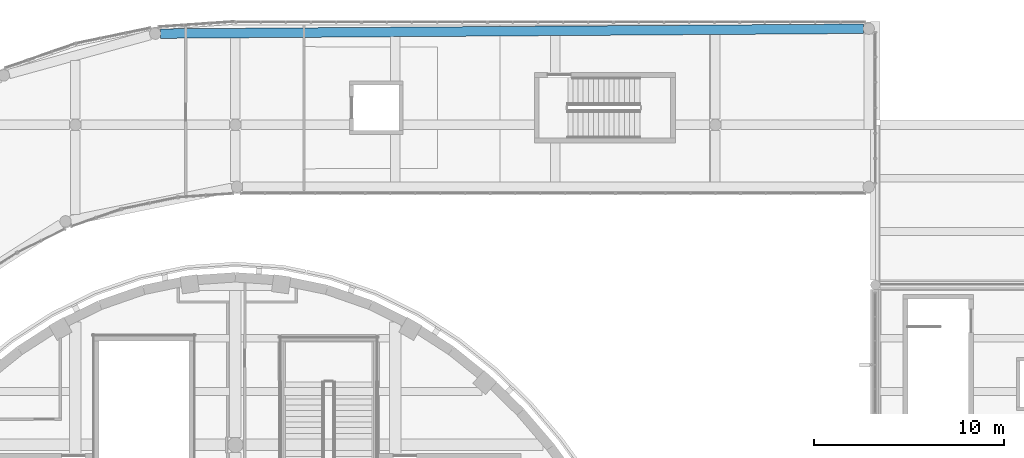
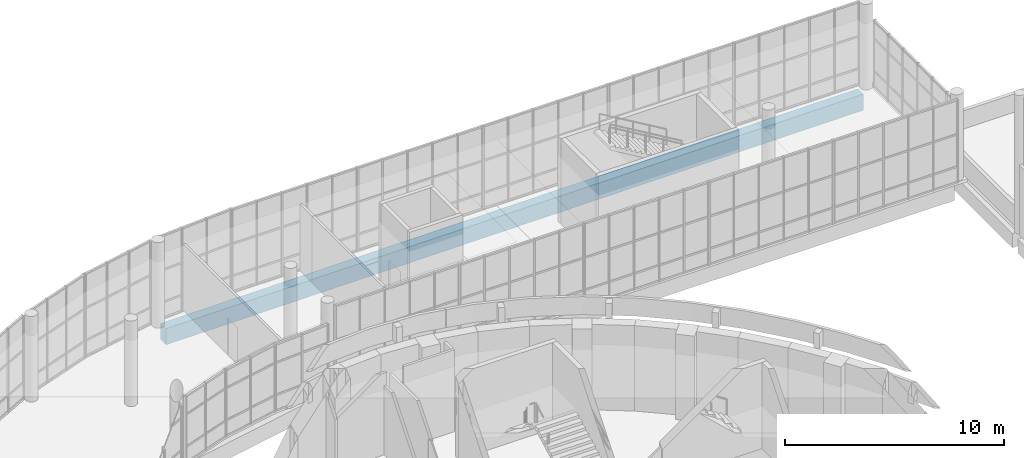
# One storey, part 38 of 119: 1 beam.
"""IFC4 building model written with IfcOpenShell, lengths in metres."""

from ifc_helpers import new_model, si_unit, direction, frame, origin, origin_2d, place, context, subcontext, project, spatial, rectangle, extrude, material, material_profile, profile_set, type_object, element, save


model = new_model("IFC4")

# Units and contexts
model_context = context("Model", 3, precision=1e-05, world=origin(), true_north=direction((0.0, 1.0)))
body_context = subcontext(model_context, "Body", "Model", "MODEL_VIEW")
ifc_project = project(units=[si_unit("LENGTHUNIT", "METRE"), si_unit("AREAUNIT", "SQUARE_METRE"), si_unit("VOLUMEUNIT", "CUBIC_METRE"), si_unit("PLANEANGLEUNIT", "RADIAN"), si_unit("MASSUNIT", "GRAM", prefix="KILO")], contexts=[model_context])

# Site, building, storey
site_placement = place(None, origin())
site = spatial("IfcSite", under=ifc_project, at=site_placement, CompositionType="ELEMENT")
building_placement = place(site_placement, origin())
building = spatial("IfcBuilding", under=site, at=building_placement, Name="Larchfold Concert Hall", CompositionType="ELEMENT")
storey_placement = place(building_placement, frame((0.0, 0.0, 4.800048828125)))
storey = spatial("IfcBuildingStorey", under=building, at=storey_placement, Name="L01", CompositionType="ELEMENT", Elevation=4.800048828125)

# Beam
ifc_material = material(Name="Concrete C35/45", Category="concrete")
ifc_material_profile = material_profile(ifc_material, rectangle(XDim=0.5, YDim=0.89990234375, at=origin_2d()))
ifc_profile_set = profile_set([ifc_material_profile], Name="Concrete C35/45")
beam_type = type_object("IfcBeamType", Name="Beam RC 500x900", PredefinedType="BEAM", material=ifc_profile_set)
beam_placement = place(storey_placement, frame((38.671875, 131.392822265625, -0.60009765625), z_axis=(0.999976096752, 0.006914182824, 0.0), x_axis=(-0.006914182824, 0.999976096752, 0.0)))
element("IfcBeam", 1, at=beam_placement, inside=storey, type_object=beam_type, Name="Beam B1879", PredefinedType="BEAM", context=body_context, shape_type="SweptSolid", body=[
    extrude(rectangle(XDim=0.5, YDim=0.89990234375, at=origin_2d()), origin(), (0.0, 0.0, 1.0), 36.899169921875),
])

save(model, "model.ifc")
